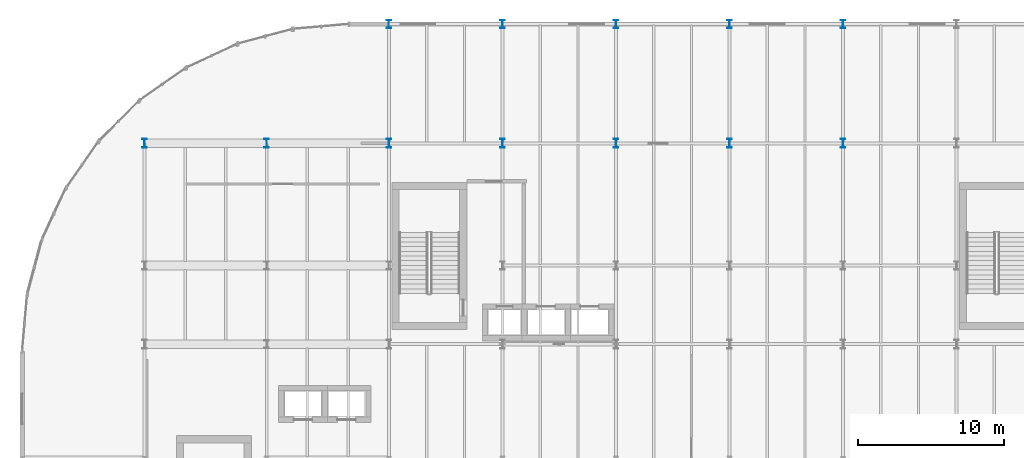
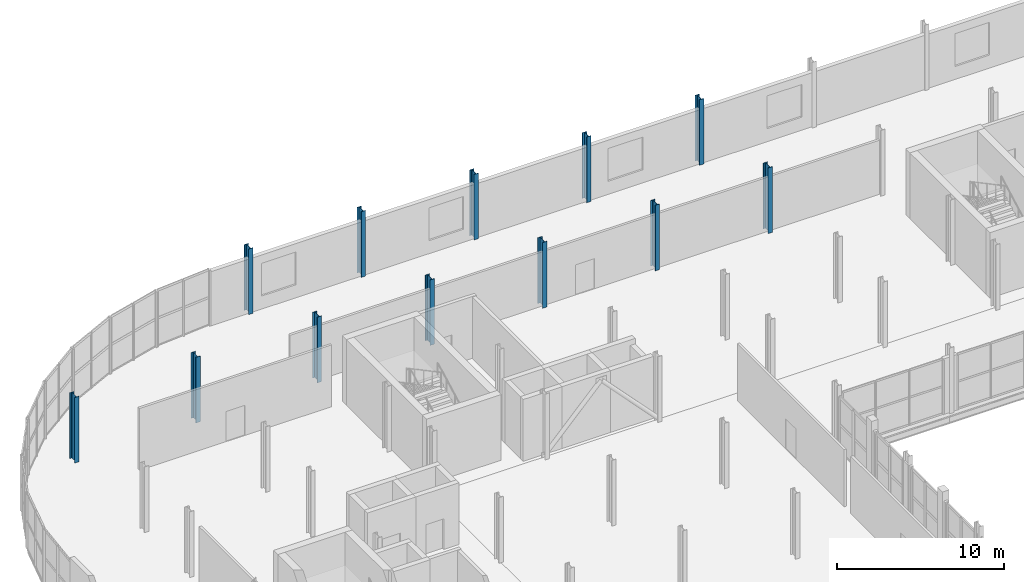
# One storey, part 8 of 63: 12 columns.
"""IFC4 building model written with IfcOpenShell, lengths in metres."""

from ifc_helpers import new_model, si_unit, direction, frame, origin, origin_2d, place, context, subcontext, project, spatial, i_section, extrude, material, material_profile, profile_set, type_object, element, save


model = new_model("IFC4")

# Units and contexts
model_context = context("Model", 3, precision=1e-05, world=origin(), true_north=direction((0.0, 1.0)))
body_context = subcontext(model_context, "Body", "Model", "MODEL_VIEW")
ifc_project = project(units=[si_unit("LENGTHUNIT", "METRE"), si_unit("AREAUNIT", "SQUARE_METRE"), si_unit("VOLUMEUNIT", "CUBIC_METRE"), si_unit("PLANEANGLEUNIT", "RADIAN"), si_unit("MASSUNIT", "GRAM", prefix="KILO")], contexts=[model_context])

# Site, building, storey
site_placement = place(None, origin())
site = spatial("IfcSite", under=ifc_project, at=site_placement, CompositionType="ELEMENT")
building_placement = place(site_placement, origin())
building = spatial("IfcBuilding", under=site, at=building_placement, Name="Sefraquen Railside Congress Hotel", CompositionType="ELEMENT")
storey_placement = place(building_placement, frame((0.0, 0.0, 11.39990234375)))
storey = spatial("IfcBuildingStorey", under=building, at=storey_placement, Name="L02", CompositionType="ELEMENT", Elevation=11.39990234375)

# Columns
ifc_material = material(Name="Steel S355JR", Category="steel")
ifc_material_profile_1 = material_profile(ifc_material, i_section(OverallWidth=0.300048828125, OverallDepth=0.550048828125, WebThickness=0.014892578125, FlangeThickness=0.029052734375, FilletRadius=0.027099609375, at=origin_2d()), Name="HEB 550")
ifc_profile_set_1 = profile_set([ifc_material_profile_1], Name="Steel S355JR")
column_type_1 = type_object("IfcColumnType", Name="TC-HEB-550", PredefinedType="COLUMN", material=ifc_profile_set_1)
for number, where, z_axis, x_axis, name in (
    (1, (25.199951171875, 118.0, 0.0), (0.0, 0.0, 1.0), (1.0, 0.0, 0.0), "Structural column 4-Q L02"),
    (2, (33.0, 118.0, 0.0), (0.0, 0.0, 1.0), (1.0, 0.0, 0.0), "Structural column 5-Q L02"),
    (3, (40.800048828125, 118.0, 0.0), (0.0, 0.0, 1.0), (1.0, 0.0, 0.0), "Structural column 6-Q L02"),
    (4, (48.60009765625, 118.0, 0.0), (0.0, 0.0, 1.0), (1.0, 0.0, 0.0), "Structural column 7-Q L02"),
    (5, (56.39990234375, 118.0, 0.0), (0.0, 0.0, 1.0), (1.0, 0.0, 0.0), "Structural column 8-Q L02"),
):
    element("IfcColumn", number, at=place(storey_placement, frame(where, z_axis=z_axis, x_axis=x_axis)), inside=storey, type_object=column_type_1, Name=name, PredefinedType="COLUMN", context=body_context, shape_type="SweptSolid", body=[
        extrude(i_section(OverallWidth=0.300048828125, OverallDepth=0.550048828125, WebThickness=0.014892578125, FlangeThickness=0.029052734375, FilletRadius=0.027099609375, at=origin_2d()), origin(), (0.0, 0.0, 1.0), 4.800048828125),
    ])
ifc_material_profile_2 = material_profile(ifc_material, i_section(OverallWidth=0.300048828125, OverallDepth=0.60009765625, WebThickness=0.015380859375, FlangeThickness=0.030029296875, FilletRadius=0.027099609375, at=origin_2d()), Name="HEB 600")
ifc_profile_set_2 = profile_set([ifc_material_profile_2], Name="Steel S355JR")
column_type_2 = type_object("IfcColumnType", Name="TC-HEB-600", PredefinedType="COLUMN", material=ifc_profile_set_2)
for number, where, z_axis, x_axis, name in (
    (6, (8.39990234375, 109.800048828125, 0.0), (0.0, 0.0, 1.0), (1.0, 0.0, 0.0), "Structural column 2-P L02"),
    (7, (16.800048828125, 109.800048828125, 0.0), (0.0, 0.0, 1.0), (1.0, 0.0, 0.0), "Structural column 3-P L02"),
    (8, (25.199951171875, 109.800048828125, 0.0), (0.0, 0.0, 1.0), (1.0, 0.0, 0.0), "Structural column 4-P L02"),
    (9, (33.0, 109.800048828125, 0.0), (0.0, 0.0, 1.0), (1.0, 0.0, 0.0), "Structural column 5-P L02"),
    (10, (40.800048828125, 109.800048828125, 0.0), (0.0, 0.0, 1.0), (1.0, 0.0, 0.0), "Structural column 6-P L02"),
    (11, (48.60009765625, 109.800048828125, 0.0), (0.0, 0.0, 1.0), (1.0, 0.0, 0.0), "Structural column 7-P L02"),
    (12, (56.39990234375, 109.800048828125, 0.0), (0.0, 0.0, 1.0), (1.0, 0.0, 0.0), "Structural column 8-P L02"),
):
    element("IfcColumn", number, at=place(storey_placement, frame(where, z_axis=z_axis, x_axis=x_axis)), inside=storey, type_object=column_type_2, Name=name, PredefinedType="COLUMN", context=body_context, shape_type="SweptSolid", body=[
        extrude(i_section(OverallWidth=0.300048828125, OverallDepth=0.60009765625, WebThickness=0.015380859375, FlangeThickness=0.030029296875, FilletRadius=0.027099609375, at=origin_2d()), origin(), (0.0, 0.0, 1.0), 4.800048828125),
    ])

save(model, "model.ifc")
